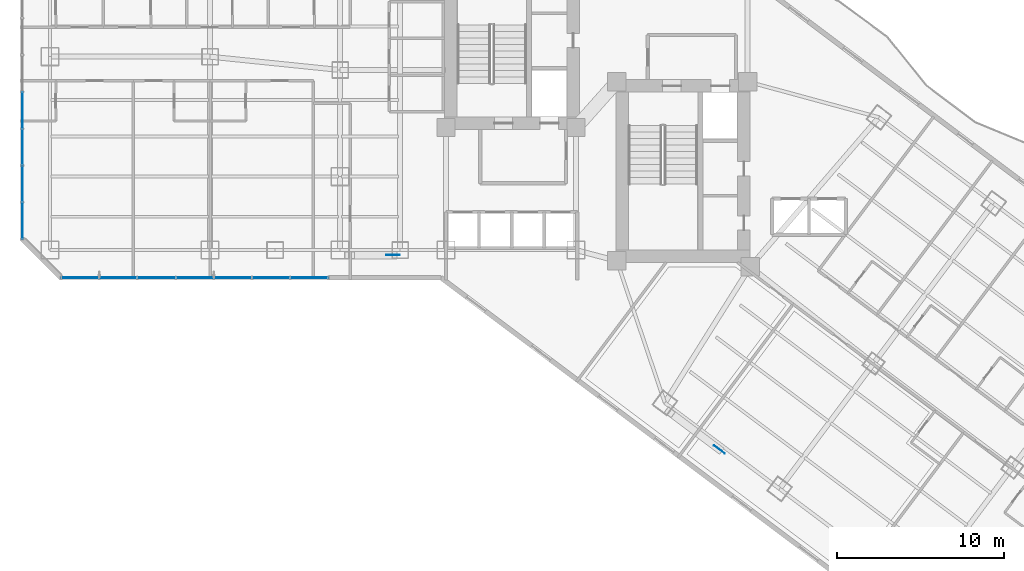
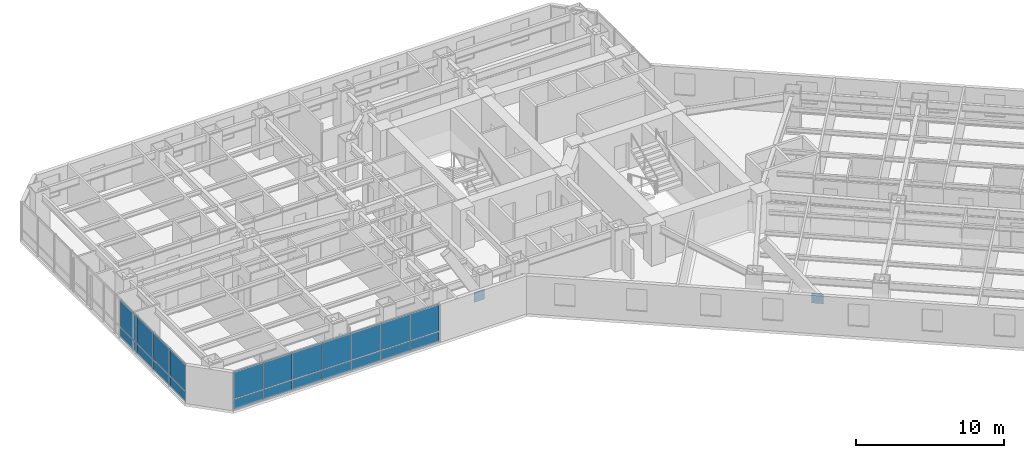
# One storey, part 20 of 32: 24 plates, 2 elements without a shape of their own.
"""IFC4 building model written with IfcOpenShell, lengths in metres."""

from ifc_helpers import new_model, si_unit, direction, frame, origin, origin_2d, place, context, subcontext, project, spatial, rectangle, extrude, material, layer, layer_set, type_object, element, aggregate, save


model = new_model("IFC4")

# Units and contexts
model_context = context("Model", 3, precision=1e-05, world=origin(), true_north=direction((0.0, 1.0)))
body_context = subcontext(model_context, "Body", "Model", "MODEL_VIEW")
ifc_project = project(units=[si_unit("LENGTHUNIT", "METRE"), si_unit("AREAUNIT", "SQUARE_METRE"), si_unit("VOLUMEUNIT", "CUBIC_METRE"), si_unit("PLANEANGLEUNIT", "RADIAN"), si_unit("MASSUNIT", "GRAM", prefix="KILO")], contexts=[model_context])

# Site, building, storey
site_placement = place(None, origin())
site = spatial("IfcSite", under=ifc_project, at=site_placement, CompositionType="ELEMENT")
building_placement = place(site_placement, origin())
building = spatial("IfcBuilding", under=site, at=building_placement, Name="Hatsunagi Terrace Concourse", CompositionType="ELEMENT")
storey_placement = place(building_placement, frame((0.0, 0.0, 46.64990234375)))
storey = spatial("IfcBuildingStorey", under=building, at=storey_placement, Name="L11", CompositionType="ELEMENT", Elevation=46.64990234375)

# Curtain wall, plates
ifc_material_1 = material(Name="Anodised Aluminium Alloy 6063-T5", Category="aluminium")
ifc_layer_1 = layer(ifc_material_1, 0.199951171875)
ifc_layer_set_1 = layer_set([ifc_layer_1], Name="HotelFacade_CW02")
curtain_wall_type = type_object("IfcCurtainWallType", Name="HotelFacade_CW02", PredefinedType="NOTDEFINED", material=ifc_layer_set_1)
curtain_wall_1_placement = place(storey_placement, origin())
curtain_wall_1 = element("IfcCurtainWall", 1, at=curtain_wall_1_placement, inside=storey, type_object=curtain_wall_type, Name="Unitised Curtain Wall CW-02 CW-L11-07", PredefinedType="NOTDEFINED")
ifc_material_2 = material(Name="Warm Terracotta Ceramic Spandrel Panel", Category="masonry")
ifc_layer_2 = layer(ifc_material_2, 0.031982421875)
ifc_layer_set_2 = layer_set([ifc_layer_2], Name="CurtainWallSpandrelPanel_32")
plate_type_1 = type_object("IfcPlateType", Name="CurtainWallSpandrelPanel_32", PredefinedType="SHEET", material=ifc_layer_set_2)
plate_1_placement = place(storey_placement, frame((17.35400390625, 23.5400390625, 0.030029296875), z_axis=(0.0, 0.0, 1.0), x_axis=(-1.0, 0.0, 0.0)))
plate_1 = element("IfcPlate", 2, at=plate_1_placement, type_object=plate_type_1, Name="Terracotta Spandrel Panel SPN-01", PredefinedType="SHEET", context=body_context, shape_type="SweptSolid", body=[
    extrude(rectangle(XDim=2.237060546875, YDim=0.031982421875, at=origin_2d()), origin(), (0.0, 0.0, 1.0), 0.7900390625),
])
plate_2_placement = place(storey_placement, frame((15.06201171875, 23.5400390625, 0.030029296875), z_axis=(0.0, 0.0, 1.0), x_axis=(-1.0, 0.0, 0.0)))
plate_2 = element("IfcPlate", 3, at=plate_2_placement, type_object=plate_type_1, Name="Terracotta Spandrel Panel SPN-01", PredefinedType="SHEET", context=body_context, shape_type="SweptSolid", body=[
    extrude(rectangle(XDim=2.237060546875, YDim=0.031982421875, at=origin_2d()), origin(), (0.0, 0.0, 1.0), 0.7900390625),
])
plate_3_placement = place(storey_placement, frame((12.77099609375, 23.5400390625, 0.030029296875), z_axis=(0.0, 0.0, 1.0), x_axis=(-1.0, 0.0, 0.0)))
plate_3 = element("IfcPlate", 4, at=plate_3_placement, type_object=plate_type_1, Name="Terracotta Spandrel Panel SPN-01", PredefinedType="SHEET", context=body_context, shape_type="SweptSolid", body=[
    extrude(rectangle(XDim=2.237060546875, YDim=0.031982421875, at=origin_2d()), origin(), (0.0, 0.0, 1.0), 0.7900390625),
])
plate_4_placement = place(storey_placement, frame((10.47900390625, 23.5400390625, 0.030029296875), z_axis=(0.0, 0.0, 1.0), x_axis=(-1.0, 0.0, 0.0)))
plate_4 = element("IfcPlate", 5, at=plate_4_placement, type_object=plate_type_1, Name="Terracotta Spandrel Panel SPN-01", PredefinedType="SHEET", context=body_context, shape_type="SweptSolid", body=[
    extrude(rectangle(XDim=2.237060546875, YDim=0.031982421875, at=origin_2d()), origin(), (0.0, 0.0, 1.0), 0.7900390625),
])
plate_5_placement = place(storey_placement, frame((8.18701171875, 23.5400390625, 0.030029296875), z_axis=(0.0, 0.0, 1.0), x_axis=(-1.0, 0.0, 0.0)))
plate_5 = element("IfcPlate", 6, at=plate_5_placement, type_object=plate_type_1, Name="Terracotta Spandrel Panel SPN-01", PredefinedType="SHEET", context=body_context, shape_type="SweptSolid", body=[
    extrude(rectangle(XDim=2.237060546875, YDim=0.031982421875, at=origin_2d()), origin(), (0.0, 0.0, 1.0), 0.7900390625),
])
plate_6_placement = place(storey_placement, frame((5.89599609375, 23.5400390625, 0.030029296875), z_axis=(0.0, 0.0, 1.0), x_axis=(-1.0, 0.0, 0.0)))
plate_6 = element("IfcPlate", 7, at=plate_6_placement, type_object=plate_type_1, Name="Terracotta Spandrel Panel SPN-01", PredefinedType="SHEET", context=body_context, shape_type="SweptSolid", body=[
    extrude(rectangle(XDim=2.237060546875, YDim=0.031982421875, at=origin_2d()), origin(), (0.0, 0.0, 1.0), 0.7900390625),
])
plate_7_placement = place(storey_placement, frame((3.60400390625, 23.5400390625, 0.030029296875), z_axis=(0.0, 0.0, 1.0), x_axis=(-1.0, 0.0, 0.0)))
plate_7 = element("IfcPlate", 8, at=plate_7_placement, type_object=plate_type_1, Name="Terracotta Spandrel Panel SPN-01", PredefinedType="SHEET", context=body_context, shape_type="SweptSolid", body=[
    extrude(rectangle(XDim=2.237060546875, YDim=0.031982421875, at=origin_2d()), origin(), (0.0, 0.0, 1.0), 0.7900390625),
])

curtain_wall_2_placement = place(storey_placement, origin())
curtain_wall_2 = element("IfcCurtainWall", 9, at=curtain_wall_2_placement, inside=storey, type_object=curtain_wall_type, Name="Unitised Curtain Wall CW-02 CW-L11-09", PredefinedType="NOTDEFINED")
plate_8_placement = place(storey_placement, frame((0.139892578125, 26.9619140625, 0.030029296875), z_axis=(0.0, 0.0, 1.0), x_axis=(0.0, 1.0, 0.0)))
plate_8 = element("IfcPlate", 10, at=plate_8_placement, type_object=plate_type_1, Name="Terracotta Spandrel Panel SPN-01", PredefinedType="SHEET", context=body_context, shape_type="SweptSolid", body=[
    extrude(rectangle(XDim=2.153076171875, YDim=0.031982421875, at=origin_2d()), origin(), (0.0, 0.0, 1.0), 0.7900390625),
])
plate_9_placement = place(storey_placement, frame((0.139892578125, 29.1708984375, 0.030029296875), z_axis=(0.0, 0.0, 1.0), x_axis=(0.0, 1.0, 0.0)))
plate_9 = element("IfcPlate", 11, at=plate_9_placement, type_object=plate_type_1, Name="Terracotta Spandrel Panel SPN-01", PredefinedType="SHEET", context=body_context, shape_type="SweptSolid", body=[
    extrude(rectangle(XDim=2.153076171875, YDim=0.031982421875, at=origin_2d()), origin(), (0.0, 0.0, 1.0), 0.7900390625),
])
plate_10_placement = place(storey_placement, frame((0.139892578125, 31.37890625, 0.030029296875), z_axis=(0.0, 0.0, 1.0), x_axis=(0.0, 1.0, 0.0)))
plate_10 = element("IfcPlate", 12, at=plate_10_placement, type_object=plate_type_1, Name="Terracotta Spandrel Panel SPN-01", PredefinedType="SHEET", context=body_context, shape_type="SweptSolid", body=[
    extrude(rectangle(XDim=2.153076171875, YDim=0.031982421875, at=origin_2d()), origin(), (0.0, 0.0, 1.0), 0.7900390625),
])
plate_11_placement = place(storey_placement, frame((0.139892578125, 33.5869140625, 0.030029296875), z_axis=(0.0, 0.0, 1.0), x_axis=(0.0, 1.0, 0.0)))
plate_11 = element("IfcPlate", 13, at=plate_11_placement, type_object=plate_type_1, Name="Terracotta Spandrel Panel SPN-01", PredefinedType="SHEET", context=body_context, shape_type="SweptSolid", body=[
    extrude(rectangle(XDim=2.153076171875, YDim=0.031982421875, at=origin_2d()), origin(), (0.0, 0.0, 1.0), 0.7900390625),
])

# Plate
ifc_material_3 = material(Name="Low-E Double Insulating Glass 28mm", Category="glass")
ifc_layer_3 = layer(ifc_material_3, 0.028076171875)
ifc_layer_set_3 = layer_set([ifc_layer_3], Name="CurtainWallVisionGlass_28")
plate_type_2 = type_object("IfcPlateType", Name="CurtainWallVisionGlass_28", PredefinedType="CURTAIN_PANEL", material=ifc_layer_set_3)
plate_12_placement = place(storey_placement, frame((17.35400390625, 23.5400390625, 0.8798828125), z_axis=(0.0, 0.0, 1.0), x_axis=(-1.0, 0.0, 0.0)))
plate_12 = element("IfcPlate", 14, at=plate_12_placement, type_object=plate_type_2, Name="Low-E Vision Glass Panel GLZ-01", PredefinedType="CURTAIN_PANEL", context=body_context, shape_type="SweptSolid", body=[
    extrude(rectangle(XDim=2.237060546875, YDim=0.028076171875, at=origin_2d()), origin(), (0.0, 0.0, 1.0), 2.219970703125),
])

plate_13_placement = place(storey_placement, frame((15.06201171875, 23.5400390625, 0.8798828125), z_axis=(0.0, 0.0, 1.0), x_axis=(-1.0, 0.0, 0.0)))
plate_13 = element("IfcPlate", 15, at=plate_13_placement, type_object=plate_type_2, Name="Low-E Vision Glass Panel GLZ-01", PredefinedType="CURTAIN_PANEL", context=body_context, shape_type="SweptSolid", body=[
    extrude(rectangle(XDim=2.237060546875, YDim=0.028076171875, at=origin_2d()), origin(), (0.0, 0.0, 1.0), 2.219970703125),
])

plate_14_placement = place(storey_placement, frame((12.77099609375, 23.5400390625, 0.8798828125), z_axis=(0.0, 0.0, 1.0), x_axis=(-1.0, 0.0, 0.0)))
plate_14 = element("IfcPlate", 16, at=plate_14_placement, type_object=plate_type_2, Name="Low-E Vision Glass Panel GLZ-01", PredefinedType="CURTAIN_PANEL", context=body_context, shape_type="SweptSolid", body=[
    extrude(rectangle(XDim=2.237060546875, YDim=0.028076171875, at=origin_2d()), origin(), (0.0, 0.0, 1.0), 2.219970703125),
])

plate_15_placement = place(storey_placement, frame((10.47900390625, 23.5400390625, 0.8798828125), z_axis=(0.0, 0.0, 1.0), x_axis=(-1.0, 0.0, 0.0)))
plate_15 = element("IfcPlate", 17, at=plate_15_placement, type_object=plate_type_2, Name="Low-E Vision Glass Panel GLZ-01", PredefinedType="CURTAIN_PANEL", context=body_context, shape_type="SweptSolid", body=[
    extrude(rectangle(XDim=2.237060546875, YDim=0.028076171875, at=origin_2d()), origin(), (0.0, 0.0, 1.0), 2.219970703125),
])

plate_16_placement = place(storey_placement, frame((8.18701171875, 23.5400390625, 0.8798828125), z_axis=(0.0, 0.0, 1.0), x_axis=(-1.0, 0.0, 0.0)))
plate_16 = element("IfcPlate", 18, at=plate_16_placement, type_object=plate_type_2, Name="Low-E Vision Glass Panel GLZ-01", PredefinedType="CURTAIN_PANEL", context=body_context, shape_type="SweptSolid", body=[
    extrude(rectangle(XDim=2.237060546875, YDim=0.028076171875, at=origin_2d()), origin(), (0.0, 0.0, 1.0), 2.219970703125),
])

plate_17_placement = place(storey_placement, frame((5.89599609375, 23.5400390625, 0.8798828125), z_axis=(0.0, 0.0, 1.0), x_axis=(-1.0, 0.0, 0.0)))
plate_17 = element("IfcPlate", 19, at=plate_17_placement, type_object=plate_type_2, Name="Low-E Vision Glass Panel GLZ-01", PredefinedType="CURTAIN_PANEL", context=body_context, shape_type="SweptSolid", body=[
    extrude(rectangle(XDim=2.237060546875, YDim=0.028076171875, at=origin_2d()), origin(), (0.0, 0.0, 1.0), 2.219970703125),
])

plate_18_placement = place(storey_placement, frame((3.60400390625, 23.5400390625, 0.8798828125), z_axis=(0.0, 0.0, 1.0), x_axis=(-1.0, 0.0, 0.0)))
plate_18 = element("IfcPlate", 20, at=plate_18_placement, type_object=plate_type_2, Name="Low-E Vision Glass Panel GLZ-01", PredefinedType="CURTAIN_PANEL", context=body_context, shape_type="SweptSolid", body=[
    extrude(rectangle(XDim=2.237060546875, YDim=0.028076171875, at=origin_2d()), origin(), (0.0, 0.0, 1.0), 2.219970703125),
])

aggregate(curtain_wall_1, [plate_1, plate_12, plate_2, plate_13, plate_3, plate_14, plate_4, plate_15, plate_5, plate_16, plate_6, plate_17, plate_7, plate_18])

plate_19_placement = place(storey_placement, frame((0.139892578125, 26.9619140625, 0.8798828125), z_axis=(0.0, 0.0, 1.0), x_axis=(0.0, 1.0, 0.0)))
plate_19 = element("IfcPlate", 21, at=plate_19_placement, type_object=plate_type_2, Name="Low-E Vision Glass Panel GLZ-01", PredefinedType="CURTAIN_PANEL", context=body_context, shape_type="SweptSolid", body=[
    extrude(rectangle(XDim=2.153076171875, YDim=0.028076171875, at=origin_2d()), origin(), (0.0, 0.0, 1.0), 2.219970703125),
])

plate_20_placement = place(storey_placement, frame((0.139892578125, 29.1708984375, 0.8798828125), z_axis=(0.0, 0.0, 1.0), x_axis=(0.0, 1.0, 0.0)))
plate_20 = element("IfcPlate", 22, at=plate_20_placement, type_object=plate_type_2, Name="Low-E Vision Glass Panel GLZ-01", PredefinedType="CURTAIN_PANEL", context=body_context, shape_type="SweptSolid", body=[
    extrude(rectangle(XDim=2.153076171875, YDim=0.028076171875, at=origin_2d()), origin(), (0.0, 0.0, 1.0), 2.219970703125),
])

plate_21_placement = place(storey_placement, frame((0.139892578125, 31.37890625, 0.8798828125), z_axis=(0.0, 0.0, 1.0), x_axis=(0.0, 1.0, 0.0)))
plate_21 = element("IfcPlate", 23, at=plate_21_placement, type_object=plate_type_2, Name="Low-E Vision Glass Panel GLZ-01", PredefinedType="CURTAIN_PANEL", context=body_context, shape_type="SweptSolid", body=[
    extrude(rectangle(XDim=2.153076171875, YDim=0.028076171875, at=origin_2d()), origin(), (0.0, 0.0, 1.0), 2.219970703125),
])

plate_22_placement = place(storey_placement, frame((0.139892578125, 33.5869140625, 0.8798828125), z_axis=(0.0, 0.0, 1.0), x_axis=(0.0, 1.0, 0.0)))
plate_22 = element("IfcPlate", 24, at=plate_22_placement, type_object=plate_type_2, Name="Low-E Vision Glass Panel GLZ-01", PredefinedType="CURTAIN_PANEL", context=body_context, shape_type="SweptSolid", body=[
    extrude(rectangle(XDim=2.153076171875, YDim=0.028076171875, at=origin_2d()), origin(), (0.0, 0.0, 1.0), 2.219970703125),
])

aggregate(curtain_wall_2, [plate_8, plate_19, plate_9, plate_20, plate_10, plate_21, plate_11, plate_22])

# Plates
ifc_material_4 = material(Name="Steel SN490C", Category="steel")
ifc_layer_4 = layer(ifc_material_4, 0.031982421875)
ifc_layer_set_4 = layer_set([ifc_layer_4], Name="XBraceNodeCapPlate_32")
plate_type_3 = type_object("IfcPlateType", Name="XBraceNodeCapPlate_32", PredefinedType="USERDEFINED", material=ifc_layer_set_4)
for number, where, z_axis, x_axis, name in (
    (25, (22.375, 24.89990234375, 1.1650390625), (0.0, 0.0, 1.0), (1.0, 0.0, 0.0), "X-Brace Crossing Gusset Node Plate GP-02 XB-L10-W1"),
    (26, (41.951904296875, 13.236083984375, 1.1650390625), (0.0, 0.0, 1.0), (0.799999996291, -0.600000004945, 0.0), "X-Brace Crossing Gusset Node Plate GP-02 XB-L10-SE"),
):
    element("IfcPlate", number, at=place(storey_placement, frame(where, z_axis=z_axis, x_axis=x_axis)), inside=storey, type_object=plate_type_3, Name=name, ObjectType="GUSSET_PLATE", PredefinedType="USERDEFINED", context=body_context, shape_type="SweptSolid", body=[
        extrude(rectangle(XDim=0.800048828125, YDim=0.031982421875, at=origin_2d()), origin(), (0.0, 0.0, 1.0), 0.800048828125),
    ])

save(model, "model.ifc")
